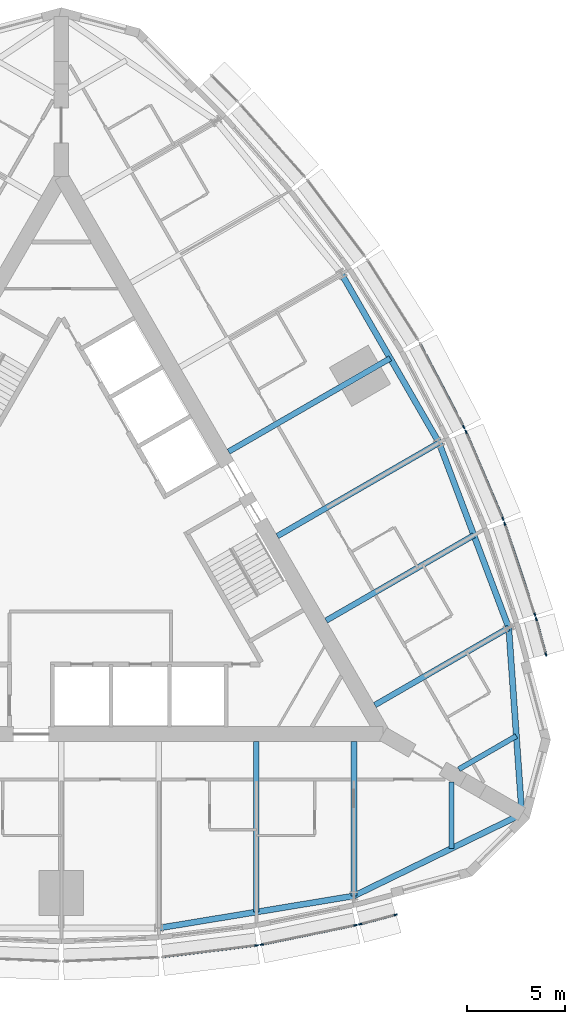
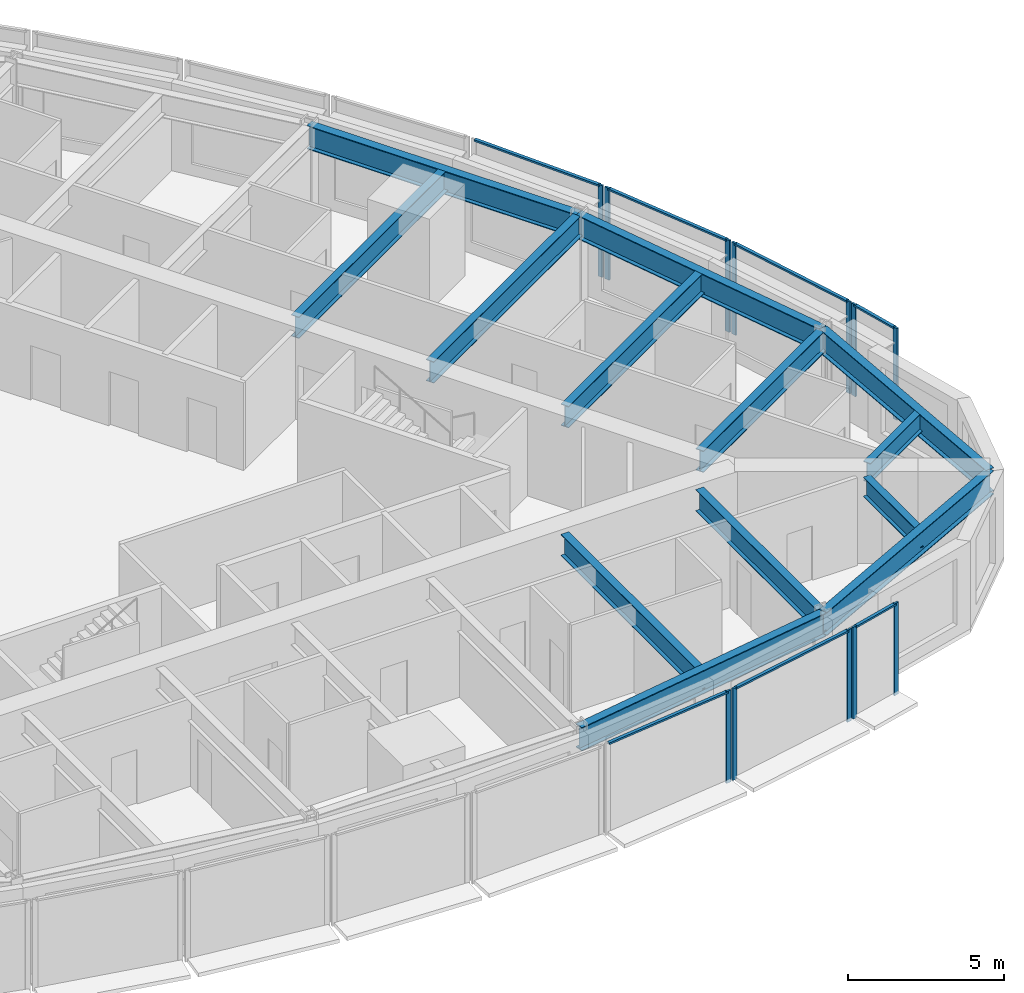
# One storey, part 4 of 15: 19 members, 13 beams, 7 elements without a shape of their own.
"""IFC4 building model written with IfcOpenShell, lengths in metres."""

from ifc_helpers import new_model, si_unit, direction, frame, origin, origin_2d, place, context, subcontext, project, spatial, rectangle, i_section, extrude, material, material_profile, profile_set, type_object, element, aggregate, save


model = new_model("IFC4")

# Units and contexts
model_context = context("Model", 3, precision=1e-05, world=origin(), true_north=direction((0.0, 1.0)))
body_context = subcontext(model_context, "Body", "Model", "MODEL_VIEW")
ifc_project = project(units=[si_unit("LENGTHUNIT", "METRE"), si_unit("AREAUNIT", "SQUARE_METRE"), si_unit("VOLUMEUNIT", "CUBIC_METRE"), si_unit("PLANEANGLEUNIT", "RADIAN"), si_unit("MASSUNIT", "GRAM", prefix="KILO")], contexts=[model_context])

# Site, building, storey
site_placement = place(None, origin())
site = spatial("IfcSite", under=ifc_project, at=site_placement, CompositionType="ELEMENT")
building_placement = place(site_placement, origin())
building = spatial("IfcBuilding", under=site, at=building_placement, Name="Trikona Tower", CompositionType="ELEMENT")
storey_placement = place(building_placement, frame((0.0, 0.0, 218.89990234375)))
storey = spatial("IfcBuildingStorey", under=building, at=storey_placement, Name="L58", CompositionType="ELEMENT", Elevation=218.89990234375)

# Curtain wall, member
ifc_material_1 = material(Name="Aluminium curtain wall system", Category="aluminium")
curtain_wall_type = type_object("IfcCurtainWallType", Name="Curtain wall DS3", PredefinedType="NOTDEFINED", material=ifc_material_1)
curtain_wall_1_placement = place(storey_placement, origin())
curtain_wall_1 = element("IfcCurtainWall", 1, at=curtain_wall_1_placement, inside=storey, type_object=curtain_wall_type, Name="Curtain wall DS3 L58", PredefinedType="NOTDEFINED")
ifc_material_2 = material(Name="Aluminium mullion, pale anodised", Category="aluminium")
ifc_material_profile_1 = material_profile(ifc_material_2, rectangle(XDim=0.070068359375, YDim=0.179931640625, at=origin_2d()), Name="MUL-DS3")
ifc_profile_set_1 = profile_set([ifc_material_profile_1], Name="Aluminium mullion, pale anodised")
member_type_1 = type_object("IfcMemberType", Name="Mullion DS3 70x180", PredefinedType="MULLION", material=ifc_profile_set_1)
member_1_placement = place(storey_placement, frame((10.01611328125, -20.359130859375, 0.0), z_axis=(0.0, 0.0, 1.0), x_axis=(-0.122610640458, 0.992454850785, 0.0)))
member_1 = element("IfcMember", 2, at=member_1_placement, type_object=member_type_1, Name="CW-DS3 mullion 2", PredefinedType="MULLION", context=body_context, shape_type="SweptSolid", body=[
    extrude(rectangle(XDim=0.070068359375, YDim=0.179931640625, at=origin_2d()), origin(), (0.0, 0.0, 1.0), 3.60009765625),
])

# Curtain wall, members
curtain_wall_2_placement = place(storey_placement, origin())
curtain_wall_2 = element("IfcCurtainWall", 3, at=curtain_wall_2_placement, inside=storey, type_object=curtain_wall_type, Name="Curtain wall DS3 L58", PredefinedType="NOTDEFINED")
member_2_placement = place(storey_placement, frame((10.274658203125, -20.316650390625, 0.0), z_axis=(0.0, 0.0, 1.0), x_axis=(-0.201652920672, 0.979457043256, 0.0)))
member_2 = element("IfcMember", 4, at=member_2_placement, type_object=member_type_1, Name="CW-DS3 mullion 1", PredefinedType="MULLION", context=body_context, shape_type="SweptSolid", body=[
    extrude(rectangle(XDim=0.070068359375, YDim=0.179931640625, at=origin_2d()), origin(), (0.0, 0.0, 1.0), 3.60009765625),
])
member_3_placement = place(storey_placement, frame((15.08837890625, -19.325439453125, 0.0), z_axis=(0.0, 0.0, 1.0), x_axis=(-0.201652920672, 0.979457043256, 0.0)))
member_3 = element("IfcMember", 5, at=member_3_placement, type_object=member_type_1, Name="CW-DS3 mullion 2", PredefinedType="MULLION", context=body_context, shape_type="SweptSolid", body=[
    extrude(rectangle(XDim=0.070068359375, YDim=0.179931640625, at=origin_2d()), origin(), (0.0, 0.0, 1.0), 3.60009765625),
])

curtain_wall_3_placement = place(storey_placement, origin())
curtain_wall_3 = element("IfcCurtainWall", 6, at=curtain_wall_3_placement, inside=storey, type_object=curtain_wall_type, Name="Curtain wall DS3 L58", PredefinedType="NOTDEFINED")
member_4_placement = place(storey_placement, frame((15.321044921875, -19.27099609375, 0.0), z_axis=(0.0, 0.0, 1.0), x_axis=(-0.25478635579, 0.966997369647, 0.0)))
member_4 = element("IfcMember", 7, at=member_4_placement, type_object=member_type_1, Name="CW-DS3 mullion 1", PredefinedType="MULLION", context=body_context, shape_type="SweptSolid", body=[
    extrude(rectangle(XDim=0.070068359375, YDim=0.179931640625, at=origin_2d()), origin(), (0.0, 0.0, 1.0), 3.60009765625),
])
member_5_placement = place(storey_placement, frame((17.137451171875, -18.79248046875, 0.0), z_axis=(0.0, 0.0, 1.0), x_axis=(-0.25478635579, 0.966997369647, 0.0)))
member_5 = element("IfcMember", 8, at=member_5_placement, type_object=member_type_1, Name="CW-DS3 mullion 2", PredefinedType="MULLION", context=body_context, shape_type="SweptSolid", body=[
    extrude(rectangle(XDim=0.070068359375, YDim=0.179931640625, at=origin_2d()), origin(), (0.0, 0.0, 1.0), 3.60009765625),
])

curtain_wall_4_placement = place(storey_placement, origin())
curtain_wall_4 = element("IfcCurtainWall", 9, at=curtain_wall_4_placement, inside=storey, type_object=curtain_wall_type, Name="Curtain wall DS3 L58", PredefinedType="NOTDEFINED")
member_6_placement = place(storey_placement, frame((24.843505859375, -5.4453125, 0.0), z_axis=(0.0, 0.0, 1.0), x_axis=(-0.964838403494, -0.262843784676, 0.0)))
member_6 = element("IfcMember", 10, at=member_6_placement, type_object=member_type_1, Name="CW-DS3 mullion 1", PredefinedType="MULLION", context=body_context, shape_type="SweptSolid", body=[
    extrude(rectangle(XDim=0.070068359375, YDim=0.179931640625, at=origin_2d()), origin(), (0.0, 0.0, 1.0), 3.60009765625),
])
member_7_placement = place(storey_placement, frame((24.349609375, -3.633056640625, 0.0), z_axis=(0.0, 0.0, 1.0), x_axis=(-0.964838403494, -0.262843784676, 0.0)))
member_7 = element("IfcMember", 11, at=member_7_placement, type_object=member_type_1, Name="CW-DS3 mullion 2", PredefinedType="MULLION", context=body_context, shape_type="SweptSolid", body=[
    extrude(rectangle(XDim=0.070068359375, YDim=0.179931640625, at=origin_2d()), origin(), (0.0, 0.0, 1.0), 3.60009765625),
])

curtain_wall_5_placement = place(storey_placement, origin())
curtain_wall_5 = element("IfcCurtainWall", 12, at=curtain_wall_5_placement, inside=storey, type_object=curtain_wall_type, Name="Curtain wall DS3 L58", PredefinedType="NOTDEFINED")
member_8_placement = place(storey_placement, frame((24.280517578125, -3.404296875, 0.0), z_axis=(0.0, 0.0, 1.0), x_axis=(-0.949065766708, -0.315078038687, 0.0)))
member_8 = element("IfcMember", 13, at=member_8_placement, type_object=member_type_1, Name="CW-DS3 mullion 1", PredefinedType="MULLION", context=body_context, shape_type="SweptSolid", body=[
    extrude(rectangle(XDim=0.070068359375, YDim=0.179931640625, at=origin_2d()), origin(), (0.0, 0.0, 1.0), 3.60009765625),
])
member_9_placement = place(storey_placement, frame((22.73193359375, 1.26025390625, 0.0), z_axis=(0.0, 0.0, 1.0), x_axis=(-0.949065766708, -0.315078038687, 0.0)))
member_9 = element("IfcMember", 14, at=member_9_placement, type_object=member_type_1, Name="CW-DS3 mullion 2", PredefinedType="MULLION", context=body_context, shape_type="SweptSolid", body=[
    extrude(rectangle(XDim=0.070068359375, YDim=0.179931640625, at=origin_2d()), origin(), (0.0, 0.0, 1.0), 3.60009765625),
])

curtain_wall_6_placement = place(storey_placement, origin())
curtain_wall_6 = element("IfcCurtainWall", 15, at=curtain_wall_6_placement, inside=storey, type_object=curtain_wall_type, Name="Curtain wall DS3 L58", PredefinedType="NOTDEFINED")
member_10_placement = place(storey_placement, frame((22.6396484375, 1.50537109375, 0.0), z_axis=(0.0, 0.0, 1.0), x_axis=(-0.920792322808, -0.390053199266, 0.0)))
member_10 = element("IfcMember", 16, at=member_10_placement, type_object=member_type_1, Name="CW-DS3 mullion 1", PredefinedType="MULLION", context=body_context, shape_type="SweptSolid", body=[
    extrude(rectangle(XDim=0.070068359375, YDim=0.179931640625, at=origin_2d()), origin(), (0.0, 0.0, 1.0), 3.60009765625),
])
member_11_placement = place(storey_placement, frame((20.74853515625, 5.969482421875, 0.0), z_axis=(0.0, 0.0, 1.0), x_axis=(-0.920792322808, -0.390053199266, 0.0)))
member_11 = element("IfcMember", 17, at=member_11_placement, type_object=member_type_1, Name="CW-DS3 mullion 2", PredefinedType="MULLION", context=body_context, shape_type="SweptSolid", body=[
    extrude(rectangle(XDim=0.070068359375, YDim=0.179931640625, at=origin_2d()), origin(), (0.0, 0.0, 1.0), 3.60009765625),
])

# Curtain wall, member
curtain_wall_7_placement = place(storey_placement, origin())
curtain_wall_7 = element("IfcCurtainWall", 18, at=curtain_wall_7_placement, inside=storey, type_object=curtain_wall_type, Name="Curtain wall DS3 L58", PredefinedType="NOTDEFINED")
member_12_placement = place(storey_placement, frame((20.635986328125, 6.20751953125, 0.0), z_axis=(0.0, 0.0, 1.0), x_axis=(-0.885862390527, -0.463948084434, 0.0)))
member_12 = element("IfcMember", 19, at=member_12_placement, type_object=member_type_1, Name="CW-DS3 mullion 1", PredefinedType="MULLION", context=body_context, shape_type="SweptSolid", body=[
    extrude(rectangle(XDim=0.070068359375, YDim=0.179931640625, at=origin_2d()), origin(), (0.0, 0.0, 1.0), 3.60009765625),
])

# Beams
ifc_material_3 = material(Name="Steel ASTM A992 Grade 50", Category="steel")
ifc_material_profile_2 = material_profile(ifc_material_3, i_section(OverallWidth=0.2666015625, OverallDepth=0.76953125, WebThickness=0.015625, FlangeThickness=0.025390625, at=origin_2d()), Name="W30X132")
ifc_profile_set_2 = profile_set([ifc_material_profile_2], Name="Steel ASTM A992 Grade 50")
beam_type_1 = type_object("IfcBeamType", Name="Steel beam W30x132 (wedge)", PredefinedType="BEAM", material=ifc_profile_set_2)
beam_1_placement = place(storey_placement, frame((20.0, -11.97998046875, 3.05029296875), z_axis=(0.0, -1.0, 0.0), x_axis=(1.0, 0.0, 0.0)))
element("IfcBeam", 20, at=beam_1_placement, inside=storey, type_object=beam_type_1, Name="Floor beam L59 F1 u20", PredefinedType="BEAM", context=body_context, shape_type="SweptSolid", body=[
    extrude(i_section(OverallWidth=0.2666015625, OverallDepth=0.76953125, WebThickness=0.015625, FlangeThickness=0.025390625, at=origin_2d()), origin(), (0.0, 0.0, 1.0), 3.40966796875),
])
beam_2_placement = place(storey_placement, frame((20.375, -11.33056640625, 3.05029296875), z_axis=(0.865995995653, 0.500050932918, 0.0), x_axis=(-0.500050932918, 0.865995995653, 0.0)))
element("IfcBeam", 21, at=beam_2_placement, inside=storey, type_object=beam_type_1, Name="Floor beam L59 F2 u-20", PredefinedType="BEAM", context=body_context, shape_type="SweptSolid", body=[
    extrude(i_section(OverallWidth=0.2666015625, OverallDepth=0.76953125, WebThickness=0.015625, FlangeThickness=0.025390625, at=origin_2d()), origin(), (0.0, 0.0, 1.0), 3.409912109375),
])
ifc_material_4 = material(Name="Steel ASTM A992 Grade 50", Category="steel")
ifc_material_profile_3 = material_profile(ifc_material_4, i_section(OverallWidth=0.2919921875, OverallDepth=0.845703125, WebThickness=0.015380859375, FlangeThickness=0.0244140625, at=origin_2d()), Name="W33X141")
ifc_profile_set_3 = profile_set([ifc_material_profile_3], Name="Steel ASTM A992 Grade 50")
beam_type_2 = type_object("IfcBeamType", Name="Steel beam W33x141 (radial typ)", PredefinedType="BEAM", material=ifc_profile_set_3)
beam_3_placement = place(storey_placement, frame((10.0, -9.9013671875, 3.01220703125), z_axis=(0.0, -1.0, 0.0), x_axis=(1.0, 0.0, 0.0)))
element("IfcBeam", 22, at=beam_3_placement, inside=storey, type_object=beam_type_2, Name="Floor beam L59 F1 u10", PredefinedType="BEAM", context=body_context, shape_type="SweptSolid", body=[
    extrude(i_section(OverallWidth=0.2919921875, OverallDepth=0.845703125, WebThickness=0.015380859375, FlangeThickness=0.0244140625, at=origin_2d()), origin(), (0.0, 0.0, 1.0), 8.7470703125),
])
for number, where, z_axis, x_axis, name in (
    (23, (15.0, -9.9013671875, 3.01220703125), (0.0, -1.0, 0.0), (1.0, 0.0, 0.0), "Floor beam L59 F1 u15"),
    (24, (16.07470703125, -8.039794921875, 3.01220703125), (0.866019853763, 0.500009612796, 0.0), (-0.500009612796, 0.866019853763, 0.0), "Floor beam L59 F2 u-15"),
):
    element("IfcBeam", number, at=place(storey_placement, frame(where, z_axis=z_axis, x_axis=x_axis)), inside=storey, type_object=beam_type_2, Name=name, PredefinedType="BEAM", context=body_context, shape_type="SweptSolid", body=[
        extrude(i_section(OverallWidth=0.2919921875, OverallDepth=0.845703125, WebThickness=0.015380859375, FlangeThickness=0.0244140625, at=origin_2d()), origin(), (0.0, 0.0, 1.0), 7.923583984375),
    ])
beam_4_placement = place(storey_placement, frame((13.57470703125, -3.709716796875, 3.01220703125), z_axis=(0.866013609749, 0.500020427312, 0.0), x_axis=(-0.500020427312, 0.866013609749, 0.0)))
element("IfcBeam", 25, at=beam_4_placement, inside=storey, type_object=beam_type_2, Name="Floor beam L59 F2 u-10", PredefinedType="BEAM", context=body_context, shape_type="SweptSolid", body=[
    extrude(i_section(OverallWidth=0.2919921875, OverallDepth=0.845703125, WebThickness=0.015380859375, FlangeThickness=0.0244140625, at=origin_2d()), origin(), (0.0, 0.0, 1.0), 8.747314453125),
])
for number, where, z_axis, x_axis, name in (
    (26, (11.07470703125, 0.62060546875, 3.01220703125), (0.866025863714, 0.499999203377, 0.0), (-0.499999203377, 0.866025863714, 0.0), "Floor beam L59 F2 u-5"),
    (27, (8.57470703125, 4.95068359375, 3.01220703125), (0.866025863714, 0.499999203377, 0.0), (-0.499999203377, 0.866025863714, 0.0), "Floor beam L59 F2 u0"),
):
    element("IfcBeam", number, at=place(storey_placement, frame(where, z_axis=z_axis, x_axis=x_axis)), inside=storey, type_object=beam_type_2, Name=name, PredefinedType="BEAM", context=body_context, shape_type="SweptSolid", body=[
        extrude(i_section(OverallWidth=0.2919921875, OverallDepth=0.845703125, WebThickness=0.015380859375, FlangeThickness=0.0244140625, at=origin_2d()), origin(), (0.0, 0.0, 1.0), 9.57080078125),
    ])
ifc_material_5 = material(Name="Steel ASTM A992 Grade 50", Category="steel")
ifc_material_profile_4 = material_profile(ifc_material_5, i_section(OverallWidth=0.307373046875, OverallDepth=0.922119140625, WebThickness=0.018310546875, FlangeThickness=0.030029296875, at=origin_2d()), Name="W36X182")
ifc_profile_set_4 = profile_set([ifc_material_profile_4], Name="Steel ASTM A992 Grade 50")
beam_type_3 = type_object("IfcBeamType", Name="Steel beam W36x182 (spandrel mid)", PredefinedType="SPANDREL", material=ifc_profile_set_4)
beam_5_placement = place(storey_placement, frame((5.0, -19.471923828125, 2.97412109375), z_axis=(0.986707228918, 0.162507982575, 0.0), x_axis=(-0.162507982575, 0.986707228918, 0.0)))
element("IfcBeam", 28, at=beam_5_placement, inside=storey, type_object=beam_type_3, Name="Spandrel beam L59 F1-4", PredefinedType="SPANDREL", context=body_context, shape_type="SweptSolid", body=[
    extrude(i_section(OverallWidth=0.307373046875, OverallDepth=0.922119140625, WebThickness=0.018310546875, FlangeThickness=0.030029296875, at=origin_2d()), origin(), (0.0, 0.0, 1.0), 10.134765625),
])
beam_6_placement = place(storey_placement, frame((15.0, -17.824951171875, 2.97412109375), z_axis=(0.899038503257, 0.437869580652, 0.0), x_axis=(-0.437869580652, 0.899038503257, 0.0)))
element("IfcBeam", 29, at=beam_6_placement, inside=storey, type_object=beam_type_3, Name="Spandrel beam L59 F1-5", PredefinedType="SPANDREL", context=body_context, shape_type="SweptSolid", body=[
    extrude(i_section(OverallWidth=0.307373046875, OverallDepth=0.922119140625, WebThickness=0.018310546875, FlangeThickness=0.030029296875, at=origin_2d()), origin(), (0.0, 0.0, 1.0), 9.577392578125),
])
beam_7_placement = place(storey_placement, frame((23.6103515625, -13.63134765625, 2.97412109375), z_axis=(-0.07033215835, 0.997523627541, 0.0), x_axis=(-0.997523627541, -0.07033215835, 0.0)))
element("IfcBeam", 30, at=beam_7_placement, inside=storey, type_object=beam_type_3, Name="Spandrel beam L59 F2-1", PredefinedType="SPANDREL", context=body_context, shape_type="SweptSolid", body=[
    extrude(i_section(OverallWidth=0.307373046875, OverallDepth=0.922119140625, WebThickness=0.018310546875, FlangeThickness=0.030029296875, at=origin_2d()), origin(), (0.0, 0.0, 1.0), 9.5771484375),
])
beam_8_placement = place(storey_placement, frame((22.936767578125, -4.077880859375, 2.97412109375), z_axis=(-0.352596088442, 0.935775613283, 0.0), x_axis=(-0.935775613283, -0.352596088442, 0.0)))
element("IfcBeam", 31, at=beam_8_placement, inside=storey, type_object=beam_type_3, Name="Spandrel beam L59 F2-2", PredefinedType="SPANDREL", context=body_context, shape_type="SweptSolid", body=[
    extrude(i_section(OverallWidth=0.307373046875, OverallDepth=0.922119140625, WebThickness=0.018310546875, FlangeThickness=0.030029296875, at=origin_2d()), origin(), (0.0, 0.0, 1.0), 10.134765625),
])
beam_9_placement = place(storey_placement, frame((19.36328125, 5.406005859375, 2.97412109375), z_axis=(-0.500004234368, 0.866022959057, 0.0), x_axis=(-0.866022959057, -0.500004234368, 0.0)))
element("IfcBeam", 32, at=beam_9_placement, inside=storey, type_object=beam_type_3, Name="Spandrel beam L59 F2-3", PredefinedType="SPANDREL", context=body_context, shape_type="SweptSolid", body=[
    extrude(i_section(OverallWidth=0.307373046875, OverallDepth=0.922119140625, WebThickness=0.018310546875, FlangeThickness=0.030029296875, at=origin_2d()), origin(), (0.0, 0.0, 1.0), 10.0),
])

# Member
ifc_material_6 = material(Name="Aluminium transom, pale anodised", Category="aluminium")
ifc_material_profile_5 = material_profile(ifc_material_6, rectangle(XDim=0.1201171875, YDim=0.070068359375, at=origin_2d()), Name="TRN-DS3")
ifc_profile_set_5 = profile_set([ifc_material_profile_5], Name="Aluminium transom, pale anodised")
member_type_2 = type_object("IfcMemberType", Name="Transom DS3 70x120", PredefinedType="USERDEFINED", material=ifc_profile_set_5)
member_13_placement = place(storey_placement, frame((5.2392578125, -20.94921875, 3.565185546875), z_axis=(0.992459172161, 0.122575656611, 0.0), x_axis=(-0.122575656611, 0.992459172161, 0.0)))
member_13 = element("IfcMember", 33, at=member_13_placement, type_object=member_type_2, Name="CW-DS3 transom 1.1", ObjectType="TRANSOM", PredefinedType="USERDEFINED", context=body_context, shape_type="SweptSolid", body=[
    extrude(rectangle(XDim=0.1201171875, YDim=0.070068359375, at=origin_2d()), origin(), (0.0, 0.0, 1.0), 4.7783203125),
])

aggregate(curtain_wall_1, [member_1, member_13])

member_14_placement = place(storey_placement, frame((10.308837890625, -20.3095703125, 3.565185546875), z_axis=(0.979454408611, 0.201665717099, 0.0), x_axis=(-0.201665717099, 0.979454408611, 0.0)))
member_14 = element("IfcMember", 34, at=member_14_placement, type_object=member_type_2, Name="CW-DS3 transom 1.1", ObjectType="TRANSOM", PredefinedType="USERDEFINED", context=body_context, shape_type="SweptSolid", body=[
    extrude(rectangle(XDim=0.1201171875, YDim=0.070068359375, at=origin_2d()), origin(), (0.0, 0.0, 1.0), 4.844970703125),
])

aggregate(curtain_wall_2, [member_2, member_3, member_14])

member_15_placement = place(storey_placement, frame((15.35498046875, -19.261962890625, 3.565185546875), z_axis=(0.966999290683, 0.254779064719, 0.0), x_axis=(-0.254779064719, 0.966999290683, 0.0)))
member_15 = element("IfcMember", 35, at=member_15_placement, type_object=member_type_2, Name="CW-DS3 transom 1.1", ObjectType="TRANSOM", PredefinedType="USERDEFINED", context=body_context, shape_type="SweptSolid", body=[
    extrude(rectangle(XDim=0.1201171875, YDim=0.070068359375, at=origin_2d()), origin(), (0.0, 0.0, 1.0), 1.80810546875),
])

aggregate(curtain_wall_3, [member_4, member_5, member_15])

member_16_placement = place(storey_placement, frame((24.834228515625, -5.41162109375, 3.565185546875), z_axis=(-0.262843243155, 0.964838551017, 0.0), x_axis=(-0.964838551017, -0.262843243155, 0.0)))
member_16 = element("IfcMember", 36, at=member_16_placement, type_object=member_type_2, Name="CW-DS3 transom 1.1", ObjectType="TRANSOM", PredefinedType="USERDEFINED", context=body_context, shape_type="SweptSolid", body=[
    extrude(rectangle(XDim=0.1201171875, YDim=0.070068359375, at=origin_2d()), origin(), (0.0, 0.0, 1.0), 1.808349609375),
])

aggregate(curtain_wall_4, [member_6, member_7, member_16])

member_17_placement = place(storey_placement, frame((24.26953125, -3.370849609375, 3.565185546875), z_axis=(-0.315063426034, 0.949070617802, 0.0), x_axis=(-0.949070617802, -0.315063426034, 0.0)))
member_17 = element("IfcMember", 37, at=member_17_placement, type_object=member_type_2, Name="CW-DS3 transom 1.1", ObjectType="TRANSOM", PredefinedType="USERDEFINED", context=body_context, shape_type="SweptSolid", body=[
    extrude(rectangle(XDim=0.1201171875, YDim=0.070068359375, at=origin_2d()), origin(), (0.0, 0.0, 1.0), 4.8447265625),
])

aggregate(curtain_wall_5, [member_8, member_9, member_17])

member_18_placement = place(storey_placement, frame((22.6259765625, 1.53759765625, 3.565185546875), z_axis=(-0.390061662668, 0.920788737614, 0.0), x_axis=(-0.920788737614, -0.390061662668, 0.0)))
member_18 = element("IfcMember", 38, at=member_18_placement, type_object=member_type_2, Name="CW-DS3 transom 1.1", ObjectType="TRANSOM", PredefinedType="USERDEFINED", context=body_context, shape_type="SweptSolid", body=[
    extrude(rectangle(XDim=0.1201171875, YDim=0.070068359375, at=origin_2d()), origin(), (0.0, 0.0, 1.0), 4.778076171875),
])

aggregate(curtain_wall_6, [member_10, member_11, member_18])

member_19_placement = place(storey_placement, frame((20.61962890625, 6.238525390625, 3.565185546875), z_axis=(-0.463910848027, 0.885881891158, 0.0), x_axis=(-0.885881891158, -0.463910848027, 0.0)))
member_19 = element("IfcMember", 39, at=member_19_placement, type_object=member_type_2, Name="CW-DS3 transom 1.1", ObjectType="TRANSOM", PredefinedType="USERDEFINED", context=body_context, shape_type="SweptSolid", body=[
    extrude(rectangle(XDim=0.1201171875, YDim=0.070068359375, at=origin_2d()), origin(), (0.0, 0.0, 1.0), 4.744384765625),
])

aggregate(curtain_wall_7, [member_12, member_19])

save(model, "model.ifc")
